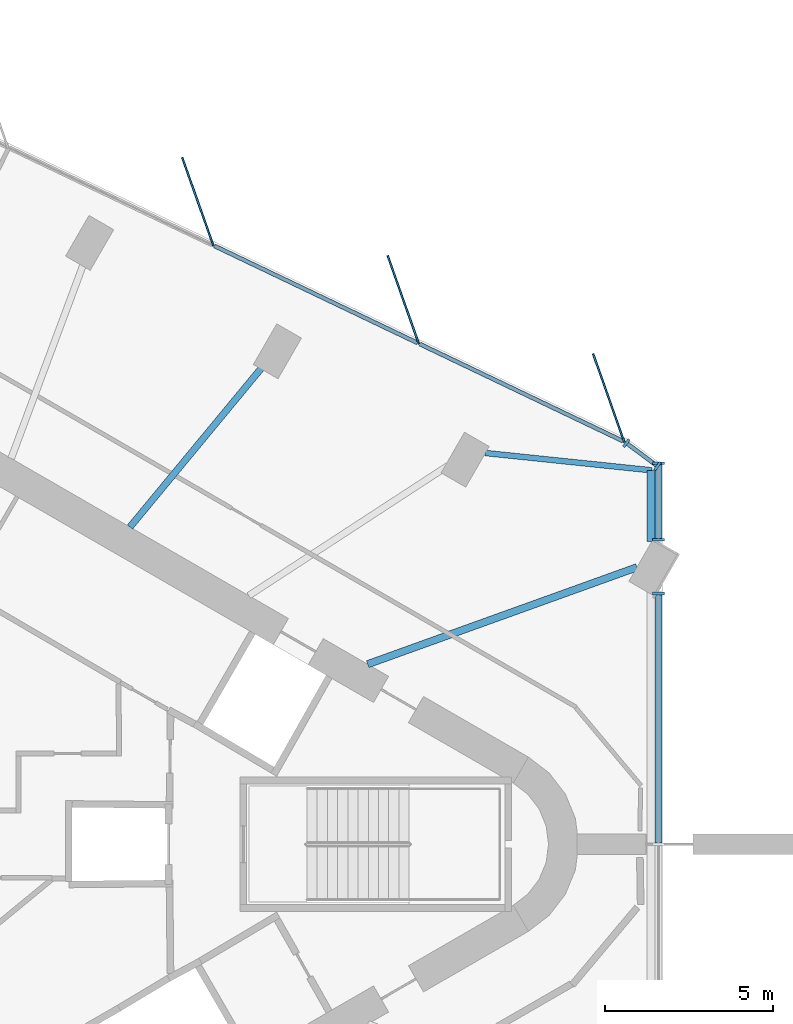
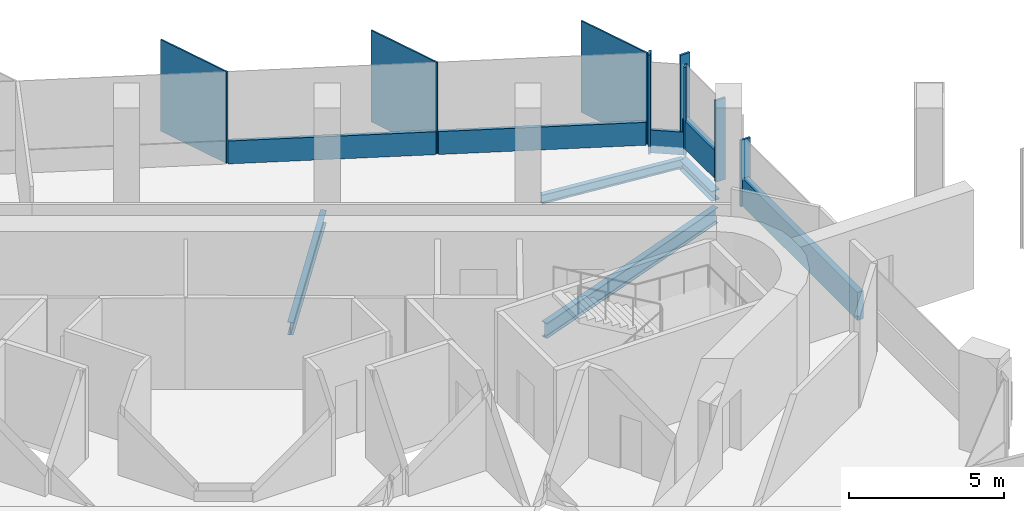
# One storey, part 5 of 12: 13 members, 4 beams, 4 elements without a shape of their own.
"""IFC4 building model written with IfcOpenShell, lengths in metres."""

from ifc_helpers import new_model, si_unit, direction, frame, origin, origin_2d, place, context, subcontext, project, spatial, rectangle, i_section, extrude, material, material_profile, profile_set, type_object, element, aggregate, save


model = new_model("IFC4")

# Units and contexts
model_context = context("Model", 3, precision=1e-05, world=origin(), true_north=direction((0.0, 1.0)))
body_context = subcontext(model_context, "Body", "Model", "MODEL_VIEW")
ifc_project = project(units=[si_unit("LENGTHUNIT", "METRE"), si_unit("AREAUNIT", "SQUARE_METRE"), si_unit("VOLUMEUNIT", "CUBIC_METRE"), si_unit("PLANEANGLEUNIT", "RADIAN"), si_unit("MASSUNIT", "GRAM", prefix="KILO")], contexts=[model_context])

# Site, building, storey
site_placement = place(None, origin())
site = spatial("IfcSite", under=ifc_project, at=site_placement, CompositionType="ELEMENT")
building_placement = place(site_placement, origin())
building = spatial("IfcBuilding", under=site, at=building_placement, Name="Tanit Gate Tower", CompositionType="ELEMENT")
storey_placement = place(building_placement, frame((0.0, 0.0, 380.60009765625)))
storey = spatial("IfcBuildingStorey", under=building, at=storey_placement, Name="L87", CompositionType="ELEMENT", Elevation=380.60009765625)

# Beam
ifc_material_1 = material(Name="Steel S355", Category="steel")
ifc_material_profile_1 = material_profile(ifc_material_1, i_section(OverallWidth=0.300048828125, OverallDepth=0.389892578125, WebThickness=0.010986328125, FlangeThickness=0.01904296875, FilletRadius=0.027099609375, at=origin_2d()), Name="HEA 400")
ifc_profile_set_1 = profile_set([ifc_material_profile_1], Name="Steel S355")
beam_type_1 = type_object("IfcBeamType", Name="EDGE BEAM HEA 400 S355", PredefinedType="BEAM", material=ifc_profile_set_1)
beam_1_placement = place(storey_placement, frame((23.3798828125, 11.14599609375, -0.4951171875), z_axis=(0.0, -1.0, 0.0), x_axis=(1.0, 0.0, 0.0)))
element("IfcBeam", 1, at=beam_1_placement, inside=storey, type_object=beam_type_1, Name="EDGE BEAM", PredefinedType="BEAM", context=body_context, shape_type="SweptSolid", body=[
    extrude(i_section(OverallWidth=0.300048828125, OverallDepth=0.389892578125, WebThickness=0.010986328125, FlangeThickness=0.01904296875, FilletRadius=0.027099609375, at=origin_2d()), origin(), (0.0, 0.0, 1.0), 2.1240234375),
])

# Curtain wall, members
ifc_material_2 = material(Name="Aluminium bronze anodised and glass", Category="aluminium")
curtain_wall_type_1 = type_object("IfcCurtainWallType", Name="Curtain wall typical high", PredefinedType="NOTDEFINED", material=ifc_material_2)
curtain_wall_1_placement = place(storey_placement, origin())
curtain_wall_1 = element("IfcCurtainWall", 2, at=curtain_wall_1_placement, inside=storey, type_object=curtain_wall_type_1, Name="Curtain wall L87 NE2", PredefinedType="NOTDEFINED")
ifc_material_3 = material(Name="Aluminium bronze anodised", Category="aluminium")
ifc_material_profile_2 = material_profile(ifc_material_3, rectangle(XDim=2.800048828125, YDim=0.055908203125, at=origin_2d()), Name="56x2800 bronze fin mullion")
ifc_profile_set_2 = profile_set([ifc_material_profile_2], Name="Aluminium bronze anodised")
member_type_1 = type_object("IfcMemberType", Name="FIN MULLION 56x2800 bronze", PredefinedType="MULLION", material=ifc_profile_set_2)
member_1_placement = place(storey_placement, frame((22.09423828125, 13.30224609375, 0.0), z_axis=(0.0, 0.0, 1.0), x_axis=(0.333220063881, -0.942849080727, 0.0)))
member_1 = element("IfcMember", 3, at=member_1_placement, type_object=member_type_1, Name="Fin mullion L87 NE2.1", PredefinedType="MULLION", context=body_context, shape_type="SweptSolid", body=[
    extrude(rectangle(XDim=2.800048828125, YDim=0.055908203125, at=origin_2d()), origin(), (0.0, 0.0, 1.0), 3.599853515625),
])
member_2_placement = place(storey_placement, frame((15.969482421875, 16.228271484375, 0.0), z_axis=(0.0, 0.0, 1.0), x_axis=(0.333220063881, -0.942849080727, 0.0)))
member_2 = element("IfcMember", 4, at=member_2_placement, type_object=member_type_1, Name="Fin mullion L87 NE2.2", PredefinedType="MULLION", context=body_context, shape_type="SweptSolid", body=[
    extrude(rectangle(XDim=2.800048828125, YDim=0.055908203125, at=origin_2d()), origin(), (0.0, 0.0, 1.0), 3.599853515625),
])
member_3_placement = place(storey_placement, frame((9.8447265625, 19.154296875, 0.0), z_axis=(0.0, 0.0, 1.0), x_axis=(0.333220063881, -0.942849080727, 0.0)))
member_3 = element("IfcMember", 5, at=member_3_placement, type_object=member_type_1, Name="Fin mullion L87 NE2.3", PredefinedType="MULLION", context=body_context, shape_type="SweptSolid", body=[
    extrude(rectangle(XDim=2.800048828125, YDim=0.055908203125, at=origin_2d()), origin(), (0.0, 0.0, 1.0), 3.599853515625),
])

curtain_wall_2_placement = place(storey_placement, origin())
curtain_wall_2 = element("IfcCurtainWall", 6, at=curtain_wall_2_placement, inside=storey, type_object=curtain_wall_type_1, Name="Curtain wall L87 NE1c", PredefinedType="NOTDEFINED")
ifc_material_4 = material(Name="Aluminium bronze anodised", Category="aluminium")
ifc_material_profile_3 = material_profile(ifc_material_4, rectangle(XDim=0.280029296875, YDim=0.080078125, at=origin_2d()), Name="80x280 bronze mullion")
ifc_profile_set_3 = profile_set([ifc_material_profile_3], Name="Aluminium bronze anodised")
member_type_2 = type_object("IfcMemberType", Name="Mullion 80x280 typical high", PredefinedType="MULLION", material=ifc_profile_set_3)
member_4_placement = place(storey_placement, frame((23.54833984375, 11.27001953125, -0.300048828125), z_axis=(0.0, 0.0, 1.0), x_axis=(-0.59734052401, -0.801987717098, 0.0)))
member_4 = element("IfcMember", 7, at=member_4_placement, type_object=member_type_2, Name="Mullion L87 NE1c.1", PredefinedType="MULLION", context=body_context, shape_type="SweptSolid", body=[
    extrude(rectangle(XDim=0.280029296875, YDim=0.080078125, at=origin_2d()), origin(), (0.0, 0.0, 1.0), 3.510009765625),
])
member_5_placement = place(storey_placement, frame((22.622314453125, 11.959716796875, -0.300048828125), z_axis=(0.0, 0.0, 1.0), x_axis=(-0.59734052401, -0.801987717098, 0.0)))
member_5 = element("IfcMember", 8, at=member_5_placement, type_object=member_type_2, Name="Mullion L87 NE1c.2", PredefinedType="MULLION", context=body_context, shape_type="SweptSolid", body=[
    extrude(rectangle(XDim=0.280029296875, YDim=0.080078125, at=origin_2d()), origin(), (0.0, 0.0, 1.0), 3.89990234375),
])

ifc_material_5 = material(Name="Aluminium bronze anodised and glass", Category="aluminium")
curtain_wall_type_2 = type_object("IfcCurtainWallType", Name="Curtain wall portal glazing", PredefinedType="NOTDEFINED", material=ifc_material_5)
curtain_wall_3_placement = place(storey_placement, origin())
curtain_wall_3 = element("IfcCurtainWall", 9, at=curtain_wall_3_placement, inside=storey, type_object=curtain_wall_type_2, Name="Curtain wall L87 NOTCH1", PredefinedType="NOTDEFINED")
ifc_material_6 = material(Name="Aluminium bronze anodised", Category="aluminium")
ifc_material_profile_4 = material_profile(ifc_material_6, rectangle(XDim=0.360107421875, YDim=0.080078125, at=origin_2d()), Name="80x360 bronze mullion")
ifc_profile_set_4 = profile_set([ifc_material_profile_4], Name="Aluminium bronze anodised")
member_type_3 = type_object("IfcMemberType", Name="Mullion 80x360 portal glazing", PredefinedType="MULLION", material=ifc_profile_set_4)
member_6_placement = place(storey_placement, frame((23.580078125, 11.35546875, 0.0), z_axis=(0.0, 0.0, 1.0), x_axis=(1.0, 0.0, 0.0)))
member_6 = element("IfcMember", 10, at=member_6_placement, type_object=member_type_3, Name="Mullion L87 NOTCH1.1", PredefinedType="MULLION", context=body_context, shape_type="SweptSolid", body=[
    extrude(rectangle(XDim=0.360107421875, YDim=0.080078125, at=origin_2d()), origin(), (0.0, 0.0, 1.0), 3.599853515625),
])
member_7_placement = place(storey_placement, frame((23.580078125, 9.07421875, 0.0), z_axis=(0.0, 0.0, 1.0), x_axis=(1.0, 0.0, 0.0)))
member_7 = element("IfcMember", 11, at=member_7_placement, type_object=member_type_3, Name="Mullion L87 NOTCH1.2", PredefinedType="MULLION", context=body_context, shape_type="SweptSolid", body=[
    extrude(rectangle(XDim=0.360107421875, YDim=0.080078125, at=origin_2d()), origin(), (0.0, 0.0, 1.0), 3.2099609375),
])

# Curtain wall, member
curtain_wall_4_placement = place(storey_placement, origin())
curtain_wall_4 = element("IfcCurtainWall", 12, at=curtain_wall_4_placement, inside=storey, type_object=curtain_wall_type_2, Name="Curtain wall L87 NOTCH2", PredefinedType="NOTDEFINED")
member_8_placement = place(storey_placement, frame((23.580078125, 7.472412109375, 0.0), z_axis=(0.0, 0.0, 1.0), x_axis=(1.0, 0.0, 0.0)))
member_8 = element("IfcMember", 13, at=member_8_placement, type_object=member_type_3, Name="Mullion L87 NOTCH2.1", PredefinedType="MULLION", context=body_context, shape_type="SweptSolid", body=[
    extrude(rectangle(XDim=0.360107421875, YDim=0.080078125, at=origin_2d()), origin(), (0.0, 0.0, 1.0), 2.60986328125),
])

# Beams
ifc_material_7 = material(Name="Steel S355", Category="steel")
ifc_material_profile_5 = material_profile(ifc_material_7, i_section(OverallWidth=0.199951171875, OverallDepth=0.5, WebThickness=0.01025390625, FlangeThickness=0.01611328125, FilletRadius=0.02099609375, at=origin_2d()), Name="IPE 500")
ifc_profile_set_5 = profile_set([ifc_material_profile_5], Name="Steel S355")
beam_type_2 = type_object("IfcBeamType", Name="RADIAL GIRDER IPE 500 S355", PredefinedType="BEAM", material=ifc_profile_set_5)
beam_2_placement = place(storey_placement, frame((11.906494140625, 14.395263671875, -0.550048828125), z_axis=(-0.637361830259, -0.770564661355, 0.0), x_axis=(0.770564661355, -0.637361830259, 0.0)))
element("IfcBeam", 14, at=beam_2_placement, inside=storey, type_object=beam_type_2, Name="RADIAL GIRDER", PredefinedType="BEAM", context=body_context, shape_type="SweptSolid", body=[
    extrude(i_section(OverallWidth=0.199951171875, OverallDepth=0.5, WebThickness=0.01025390625, FlangeThickness=0.01611328125, FilletRadius=0.02099609375, at=origin_2d()), origin(), (0.0, 0.0, 1.0), 6.40771484375),
])
ifc_material_8 = material(Name="Steel S355", Category="steel")
ifc_material_profile_6 = material_profile(ifc_material_8, i_section(OverallWidth=0.219970703125, OverallDepth=0.60009765625, WebThickness=0.011962890625, FlangeThickness=0.01904296875, FilletRadius=0.02392578125, at=origin_2d()), Name="IPE 600")
ifc_profile_set_6 = profile_set([ifc_material_profile_6], Name="Steel S355")
beam_type_3 = type_object("IfcBeamType", Name="RADIAL GIRDER IPE 600 S355", PredefinedType="BEAM", material=ifc_profile_set_6)
beam_3_placement = place(storey_placement, frame((22.935302734375, 8.255615234375, -0.60009765625), z_axis=(-0.940899815791, -0.338685010952, 0.0), x_axis=(0.338685010952, -0.940899815791, 0.0)))
element("IfcBeam", 15, at=beam_3_placement, inside=storey, type_object=beam_type_3, Name="RADIAL GIRDER", PredefinedType="BEAM", context=body_context, shape_type="SweptSolid", body=[
    extrude(i_section(OverallWidth=0.219970703125, OverallDepth=0.60009765625, WebThickness=0.011962890625, FlangeThickness=0.01904296875, FilletRadius=0.02392578125, at=origin_2d()), origin(), (0.0, 0.0, 1.0), 8.530517578125),
])
ifc_material_9 = material(Name="Steel S355", Category="steel")
ifc_material_profile_7 = material_profile(ifc_material_9, i_section(OverallWidth=0.169921875, OverallDepth=0.360107421875, WebThickness=0.008056640625, FlangeThickness=0.0126953125, FilletRadius=0.01806640625, at=origin_2d()), Name="IPE 360")
ifc_profile_set_7 = profile_set([ifc_material_profile_7], Name="Steel S355")
beam_type_4 = type_object("IfcBeamType", Name="RING BEAM IPE 360 S355", PredefinedType="BEAM", material=ifc_profile_set_7)
beam_4_placement = place(storey_placement, frame((23.3798828125, 11.14599609375, -0.47998046875), z_axis=(-0.994630278653, 0.103492071126, 0.0), x_axis=(-0.103492071126, -0.994630278653, 0.0)))
element("IfcBeam", 16, at=beam_4_placement, inside=storey, type_object=beam_type_4, Name="RING BEAM", PredefinedType="BEAM", context=body_context, shape_type="SweptSolid", body=[
    extrude(i_section(OverallWidth=0.169921875, OverallDepth=0.360107421875, WebThickness=0.008056640625, FlangeThickness=0.0126953125, FilletRadius=0.01806640625, at=origin_2d()), origin(), (0.0, 0.0, 1.0), 4.987060546875),
])

# Member
ifc_material_10 = material(Name="Aluminium bronze anodised", Category="aluminium")
ifc_material_profile_8 = material_profile(ifc_material_10, rectangle(XDim=0.1201171875, YDim=0.89990234375, at=origin_2d()), Name="120x900 bronze transom")
ifc_profile_set_8 = profile_set([ifc_material_profile_8], Name="Aluminium bronze anodised")
member_type_4 = type_object("IfcMemberType", Name="Transom 120x900 typical high", PredefinedType="USERDEFINED", material=ifc_profile_set_8)
member_9_placement = place(storey_placement, frame((23.516357421875, 11.2939453125, 0.14990234375), z_axis=(-0.802094042623, 0.59719774513, 0.0), x_axis=(-0.59719774513, -0.802094042623, 0.0)))
member_9 = element("IfcMember", 17, at=member_9_placement, type_object=member_type_4, Name="Transom L87 NE1c.1", ObjectType="TRANSOM", PredefinedType="USERDEFINED", context=body_context, shape_type="SweptSolid", body=[
    extrude(rectangle(XDim=0.1201171875, YDim=0.89990234375, at=origin_2d()), origin(), (0.0, 0.0, 1.0), 1.07470703125),
])

aggregate(curtain_wall_2, [member_4, member_5, member_9])

member_10_placement = place(storey_placement, frame((22.51806640625, 12.01806640625, 0.449951171875), z_axis=(-0.902312153024, 0.431083261685, 0.0), x_axis=(-0.431083261685, -0.902312153024, 0.0)))
member_10 = element("IfcMember", 18, at=member_10_placement, type_object=member_type_4, Name="Transom L87 NE2.1", ObjectType="TRANSOM", PredefinedType="USERDEFINED", context=body_context, shape_type="SweptSolid", body=[
    extrude(rectangle(XDim=0.1201171875, YDim=0.89990234375, at=origin_2d()), origin(), (0.0, 0.0, 1.0), 6.707763671875),
])

member_11_placement = place(storey_placement, frame((16.393310546875, 14.944091796875, 0.449951171875), z_axis=(-0.902312153024, 0.431083261685, 0.0), x_axis=(-0.431083261685, -0.902312153024, 0.0)))
member_11 = element("IfcMember", 19, at=member_11_placement, type_object=member_type_4, Name="Transom L87 NE2.2", ObjectType="TRANSOM", PredefinedType="USERDEFINED", context=body_context, shape_type="SweptSolid", body=[
    extrude(rectangle(XDim=0.1201171875, YDim=0.89990234375, at=origin_2d()), origin(), (0.0, 0.0, 1.0), 6.707763671875),
])

aggregate(curtain_wall_1, [member_1, member_2, member_3, member_10, member_11])

ifc_material_11 = material(Name="Aluminium bronze anodised", Category="aluminium")
ifc_material_profile_9 = material_profile(ifc_material_11, rectangle(XDim=0.219970703125, YDim=1.10009765625, at=origin_2d()), Name="220x1100 bronze transom")
ifc_profile_set_9 = profile_set([ifc_material_profile_9], Name="Aluminium bronze anodised")
member_type_5 = type_object("IfcMemberType", Name="Transom 220x1100 portal glazing", PredefinedType="USERDEFINED", material=ifc_profile_set_9)
member_12_placement = place(storey_placement, frame((23.580078125, 11.3154296875, 0.5498046875), z_axis=(0.0, -1.0, 0.0), x_axis=(1.0, 0.0, 0.0)))
member_12 = element("IfcMember", 20, at=member_12_placement, type_object=member_type_5, Name="Transom L87 NOTCH1.1", ObjectType="TRANSOM", PredefinedType="USERDEFINED", context=body_context, shape_type="SweptSolid", body=[
    extrude(rectangle(XDim=0.219970703125, YDim=1.10009765625, at=origin_2d()), origin(), (0.0, 0.0, 1.0), 2.201171875),
])

aggregate(curtain_wall_3, [member_6, member_7, member_12])

member_13_placement = place(storey_placement, frame((23.580078125, 7.432373046875, 0.5498046875), z_axis=(0.0, -1.0, 0.0), x_axis=(1.0, 0.0, 0.0)))
member_13 = element("IfcMember", 21, at=member_13_placement, type_object=member_type_5, Name="Transom L87 NOTCH2.1", ObjectType="TRANSOM", PredefinedType="USERDEFINED", context=body_context, shape_type="SweptSolid", body=[
    extrude(rectangle(XDim=0.219970703125, YDim=1.10009765625, at=origin_2d()), origin(), (0.0, 0.0, 1.0), 7.392333984375),
])

aggregate(curtain_wall_4, [member_8, member_13])

save(model, "model.ifc")
